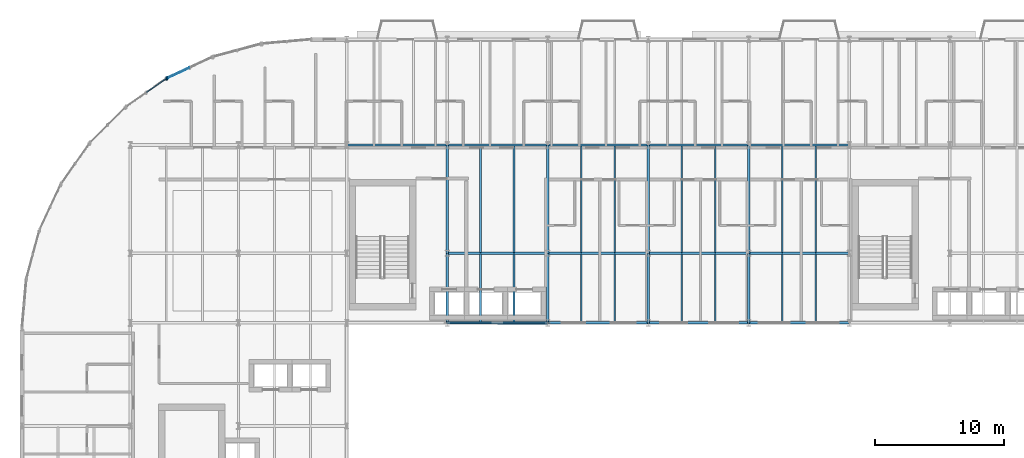
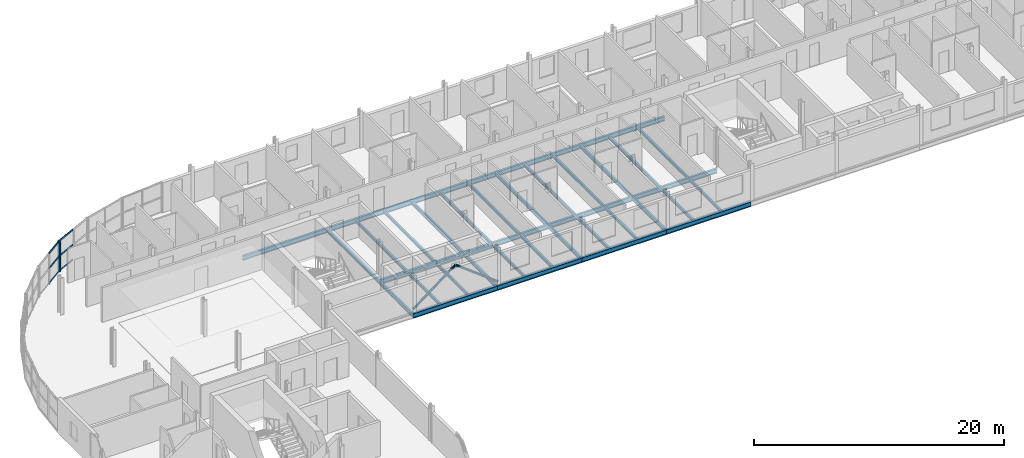
# One storey, part 7 of 30: 37 beams, 10 members, 2 elements without a shape of their own.
"""IFC4 building model written with IfcOpenShell, lengths in metres."""

from ifc_helpers import new_model, si_unit, direction, frame, origin, origin_2d, place, context, subcontext, project, spatial, rectangle, hollow_circle, i_section, extrude, material, layer, layer_set, material_profile, profile_set, type_object, element, aggregate, save


model = new_model("IFC4")

# Units and contexts
model_context = context("Model", 3, precision=1e-05, world=origin(), true_north=direction((0.0, 1.0)))
body_context = subcontext(model_context, "Body", "Model", "MODEL_VIEW")
ifc_project = project(units=[si_unit("LENGTHUNIT", "METRE"), si_unit("AREAUNIT", "SQUARE_METRE"), si_unit("VOLUMEUNIT", "CUBIC_METRE"), si_unit("PLANEANGLEUNIT", "RADIAN"), si_unit("MASSUNIT", "GRAM", prefix="KILO")], contexts=[model_context])

# Site, building, storey
site_placement = place(None, origin())
site = spatial("IfcSite", under=ifc_project, at=site_placement, CompositionType="ELEMENT")
building_placement = place(site_placement, origin())
building = spatial("IfcBuilding", under=site, at=building_placement, Name="Sefraquen Railside Congress Hotel", CompositionType="ELEMENT")
storey_placement = place(building_placement, frame((0.0, 0.0, 35.39990234375)))
storey = spatial("IfcBuildingStorey", under=building, at=storey_placement, Name="L08", CompositionType="ELEMENT", Elevation=35.39990234375)

# Beams
ifc_material_1 = material(Name="Steel S355JR", Category="steel")
ifc_material_profile_1 = material_profile(ifc_material_1, i_section(OverallWidth=0.169921875, OverallDepth=0.360107421875, WebThickness=0.008056640625, FlangeThickness=0.0126953125, FilletRadius=0.01806640625, at=origin_2d()), Name="IPE 360")
ifc_profile_set_1 = profile_set([ifc_material_profile_1], Name="Steel S355JR")
beam_type_1 = type_object("IfcBeamType", Name="TB-BM-360", PredefinedType="BEAM", material=ifc_profile_set_1)
beam_1_placement = place(storey_placement, frame((33.0, 96.0, -0.419921875), z_axis=(0.0, 1.0, 0.0), x_axis=(-1.0, 0.0, 0.0)))
element("IfcBeam", 1, at=beam_1_placement, inside=storey, type_object=beam_type_1, Name="Floor beam BM-L08-1913", PredefinedType="BEAM", context=body_context, shape_type="SweptSolid", body=[
    extrude(i_section(OverallWidth=0.169921875, OverallDepth=0.360107421875, WebThickness=0.008056640625, FlangeThickness=0.0126953125, FilletRadius=0.01806640625, at=origin_2d()), origin(), (0.0, 0.0, 1.0), 5.39990234375),
])
beam_2_placement = place(storey_placement, frame((33.0, 101.39990234375, -0.419921875), z_axis=(0.0, 1.0, 0.0), x_axis=(-1.0, 0.0, 0.0)))
element("IfcBeam", 2, at=beam_2_placement, inside=storey, type_object=beam_type_1, Name="Floor beam BM-L08-1914", PredefinedType="BEAM", context=body_context, shape_type="SweptSolid", body=[
    extrude(i_section(OverallWidth=0.169921875, OverallDepth=0.360107421875, WebThickness=0.008056640625, FlangeThickness=0.0126953125, FilletRadius=0.01806640625, at=origin_2d()), origin(), (0.0, 0.0, 1.0), 8.400146484375),
])
beam_3_placement = place(storey_placement, frame((40.800048828125, 96.0, -0.419921875), z_axis=(0.0, 1.0, 0.0), x_axis=(-1.0, 0.0, 0.0)))
element("IfcBeam", 3, at=beam_3_placement, inside=storey, type_object=beam_type_1, Name="Floor beam BM-L08-1916", PredefinedType="BEAM", context=body_context, shape_type="SweptSolid", body=[
    extrude(i_section(OverallWidth=0.169921875, OverallDepth=0.360107421875, WebThickness=0.008056640625, FlangeThickness=0.0126953125, FilletRadius=0.01806640625, at=origin_2d()), origin(), (0.0, 0.0, 1.0), 5.39990234375),
])
beam_4_placement = place(storey_placement, frame((40.800048828125, 101.39990234375, -0.419921875), z_axis=(0.0, 1.0, 0.0), x_axis=(-1.0, 0.0, 0.0)))
element("IfcBeam", 4, at=beam_4_placement, inside=storey, type_object=beam_type_1, Name="Floor beam BM-L08-1917", PredefinedType="BEAM", context=body_context, shape_type="SweptSolid", body=[
    extrude(i_section(OverallWidth=0.169921875, OverallDepth=0.360107421875, WebThickness=0.008056640625, FlangeThickness=0.0126953125, FilletRadius=0.01806640625, at=origin_2d()), origin(), (0.0, 0.0, 1.0), 8.400146484375),
])
beam_5_placement = place(storey_placement, frame((48.60009765625, 96.0, -0.419921875), z_axis=(0.0, 1.0, 0.0), x_axis=(-1.0, 0.0, 0.0)))
element("IfcBeam", 5, at=beam_5_placement, inside=storey, type_object=beam_type_1, Name="Floor beam BM-L08-1919", PredefinedType="BEAM", context=body_context, shape_type="SweptSolid", body=[
    extrude(i_section(OverallWidth=0.169921875, OverallDepth=0.360107421875, WebThickness=0.008056640625, FlangeThickness=0.0126953125, FilletRadius=0.01806640625, at=origin_2d()), origin(), (0.0, 0.0, 1.0), 5.39990234375),
])
beam_6_placement = place(storey_placement, frame((48.60009765625, 101.39990234375, -0.419921875), z_axis=(0.0, 1.0, 0.0), x_axis=(-1.0, 0.0, 0.0)))
element("IfcBeam", 6, at=beam_6_placement, inside=storey, type_object=beam_type_1, Name="Floor beam BM-L08-1920", PredefinedType="BEAM", context=body_context, shape_type="SweptSolid", body=[
    extrude(i_section(OverallWidth=0.169921875, OverallDepth=0.360107421875, WebThickness=0.008056640625, FlangeThickness=0.0126953125, FilletRadius=0.01806640625, at=origin_2d()), origin(), (0.0, 0.0, 1.0), 8.400146484375),
])
beam_7_placement = place(storey_placement, frame((56.39990234375, 96.0, -0.419921875), z_axis=(0.0, 1.0, 0.0), x_axis=(-1.0, 0.0, 0.0)))
element("IfcBeam", 7, at=beam_7_placement, inside=storey, type_object=beam_type_1, Name="Floor beam BM-L08-1922", PredefinedType="BEAM", context=body_context, shape_type="SweptSolid", body=[
    extrude(i_section(OverallWidth=0.169921875, OverallDepth=0.360107421875, WebThickness=0.008056640625, FlangeThickness=0.0126953125, FilletRadius=0.01806640625, at=origin_2d()), origin(), (0.0, 0.0, 1.0), 5.39990234375),
])
beam_8_placement = place(storey_placement, frame((56.39990234375, 101.39990234375, -0.419921875), z_axis=(0.0, 1.0, 0.0), x_axis=(-1.0, 0.0, 0.0)))
element("IfcBeam", 8, at=beam_8_placement, inside=storey, type_object=beam_type_1, Name="Floor beam BM-L08-1923", PredefinedType="BEAM", context=body_context, shape_type="SweptSolid", body=[
    extrude(i_section(OverallWidth=0.169921875, OverallDepth=0.360107421875, WebThickness=0.008056640625, FlangeThickness=0.0126953125, FilletRadius=0.01806640625, at=origin_2d()), origin(), (0.0, 0.0, 1.0), 8.400146484375),
])
ifc_material_profile_2 = material_profile(ifc_material_1, i_section(OverallWidth=0.18994140625, OverallDepth=0.449951171875, WebThickness=0.009521484375, FlangeThickness=0.0146484375, FilletRadius=0.02099609375, at=origin_2d()), Name="IPE 450")
ifc_profile_set_2 = profile_set([ifc_material_profile_2], Name="Steel S355JR")
beam_type_2 = type_object("IfcBeamType", Name="TB-BM-450", PredefinedType="BEAM", material=ifc_profile_set_2)
for number, where, z_axis, x_axis, name in (
    (9, (33.0, 96.0, -0.46484375), (1.0, 0.0, 0.0), (0.0, 1.0, 0.0), "Primary girder BM-L08-1842"),
    (10, (40.800048828125, 96.0, -0.46484375), (1.0, 0.0, 0.0), (0.0, 1.0, 0.0), "Primary girder BM-L08-1843"),
):
    element("IfcBeam", number, at=place(storey_placement, frame(where, z_axis=z_axis, x_axis=x_axis)), inside=storey, type_object=beam_type_2, Name=name, PredefinedType="BEAM", context=body_context, shape_type="SweptSolid", body=[
        extrude(i_section(OverallWidth=0.18994140625, OverallDepth=0.449951171875, WebThickness=0.009521484375, FlangeThickness=0.0146484375, FilletRadius=0.02099609375, at=origin_2d()), origin(), (0.0, 0.0, 1.0), 7.800048828125),
    ])
beam_9_placement = place(storey_placement, frame((48.60009765625, 96.0, -0.46484375), z_axis=(1.0, 0.0, 0.0), x_axis=(0.0, 1.0, 0.0)))
element("IfcBeam", 11, at=beam_9_placement, inside=storey, type_object=beam_type_2, Name="Primary girder BM-L08-1844", PredefinedType="BEAM", context=body_context, shape_type="SweptSolid", body=[
    extrude(i_section(OverallWidth=0.18994140625, OverallDepth=0.449951171875, WebThickness=0.009521484375, FlangeThickness=0.0146484375, FilletRadius=0.02099609375, at=origin_2d()), origin(), (0.0, 0.0, 1.0), 7.7998046875),
])
for number, where, z_axis, x_axis, name in (
    (12, (56.39990234375, 96.0, -0.46484375), (1.0, 0.0, 0.0), (0.0, 1.0, 0.0), "Primary girder BM-L08-1845"),
    (13, (33.0, 101.39990234375, -0.46484375), (1.0, 0.0, 0.0), (0.0, 1.0, 0.0), "Primary girder BM-L08-1855"),
    (14, (40.800048828125, 101.39990234375, -0.46484375), (1.0, 0.0, 0.0), (0.0, 1.0, 0.0), "Primary girder BM-L08-1856"),
):
    element("IfcBeam", number, at=place(storey_placement, frame(where, z_axis=z_axis, x_axis=x_axis)), inside=storey, type_object=beam_type_2, Name=name, PredefinedType="BEAM", context=body_context, shape_type="SweptSolid", body=[
        extrude(i_section(OverallWidth=0.18994140625, OverallDepth=0.449951171875, WebThickness=0.009521484375, FlangeThickness=0.0146484375, FilletRadius=0.02099609375, at=origin_2d()), origin(), (0.0, 0.0, 1.0), 7.800048828125),
    ])
beam_10_placement = place(storey_placement, frame((48.60009765625, 101.39990234375, -0.46484375), z_axis=(1.0, 0.0, 0.0), x_axis=(0.0, 1.0, 0.0)))
element("IfcBeam", 15, at=beam_10_placement, inside=storey, type_object=beam_type_2, Name="Primary girder BM-L08-1857", PredefinedType="BEAM", context=body_context, shape_type="SweptSolid", body=[
    extrude(i_section(OverallWidth=0.18994140625, OverallDepth=0.449951171875, WebThickness=0.009521484375, FlangeThickness=0.0146484375, FilletRadius=0.02099609375, at=origin_2d()), origin(), (0.0, 0.0, 1.0), 7.7998046875),
])
for number, where, z_axis, x_axis, name in (
    (16, (56.39990234375, 101.39990234375, -0.46484375), (1.0, 0.0, 0.0), (0.0, 1.0, 0.0), "Primary girder BM-L08-1858"),
    (17, (25.199951171875, 109.800048828125, -0.46484375), (1.0, 0.0, 0.0), (0.0, 1.0, 0.0), "Primary girder BM-L08-1867"),
    (18, (33.0, 109.800048828125, -0.46484375), (1.0, 0.0, 0.0), (0.0, 1.0, 0.0), "Primary girder BM-L08-1868"),
    (19, (40.800048828125, 109.800048828125, -0.46484375), (1.0, 0.0, 0.0), (0.0, 1.0, 0.0), "Primary girder BM-L08-1869"),
):
    element("IfcBeam", number, at=place(storey_placement, frame(where, z_axis=z_axis, x_axis=x_axis)), inside=storey, type_object=beam_type_2, Name=name, PredefinedType="BEAM", context=body_context, shape_type="SweptSolid", body=[
        extrude(i_section(OverallWidth=0.18994140625, OverallDepth=0.449951171875, WebThickness=0.009521484375, FlangeThickness=0.0146484375, FilletRadius=0.02099609375, at=origin_2d()), origin(), (0.0, 0.0, 1.0), 7.800048828125),
    ])
beam_11_placement = place(storey_placement, frame((48.60009765625, 109.800048828125, -0.46484375), z_axis=(1.0, 0.0, 0.0), x_axis=(0.0, 1.0, 0.0)))
element("IfcBeam", 20, at=beam_11_placement, inside=storey, type_object=beam_type_2, Name="Primary girder BM-L08-1870", PredefinedType="BEAM", context=body_context, shape_type="SweptSolid", body=[
    extrude(i_section(OverallWidth=0.18994140625, OverallDepth=0.449951171875, WebThickness=0.009521484375, FlangeThickness=0.0146484375, FilletRadius=0.02099609375, at=origin_2d()), origin(), (0.0, 0.0, 1.0), 7.7998046875),
])
beam_12_placement = place(storey_placement, frame((56.39990234375, 109.800048828125, -0.46484375), z_axis=(1.0, 0.0, 0.0), x_axis=(0.0, 1.0, 0.0)))
element("IfcBeam", 21, at=beam_12_placement, inside=storey, type_object=beam_type_2, Name="Primary girder BM-L08-1871", PredefinedType="BEAM", context=body_context, shape_type="SweptSolid", body=[
    extrude(i_section(OverallWidth=0.18994140625, OverallDepth=0.449951171875, WebThickness=0.009521484375, FlangeThickness=0.0146484375, FilletRadius=0.02099609375, at=origin_2d()), origin(), (0.0, 0.0, 1.0), 7.800048828125),
])
ifc_material_profile_3 = material_profile(ifc_material_1, i_section(OverallWidth=0.14990234375, OverallDepth=0.300048828125, WebThickness=0.007080078125, FlangeThickness=0.0107421875, FilletRadius=0.014892578125, at=origin_2d()), Name="IPE 300")
ifc_profile_set_3 = profile_set([ifc_material_profile_3], Name="Steel S355JR")
beam_type_3 = type_object("IfcBeamType", Name="TB-JST-300", PredefinedType="JOIST", material=ifc_profile_set_3)
for number, where, z_axis, x_axis, name in (
    (22, (35.60009765625, 96.074951171875, -0.389892578125), (0.0, 1.0, 0.0), (-1.0, 0.0, 0.0), "Composite floor joist BM-L08-J1262"),
    (23, (38.199951171875, 96.074951171875, -0.389892578125), (0.0, 1.0, 0.0), (-1.0, 0.0, 0.0), "Composite floor joist BM-L08-J1263"),
):
    element("IfcBeam", number, at=place(storey_placement, frame(where, z_axis=z_axis, x_axis=x_axis)), inside=storey, type_object=beam_type_3, Name=name, PredefinedType="JOIST", context=body_context, shape_type="SweptSolid", body=[
        extrude(i_section(OverallWidth=0.14990234375, OverallDepth=0.300048828125, WebThickness=0.007080078125, FlangeThickness=0.0107421875, FilletRadius=0.014892578125, at=origin_2d()), origin(), (0.0, 0.0, 1.0), 5.25),
    ])
for number, where, z_axis, x_axis, name in (
    (24, (35.60009765625, 101.47509765625, -0.389892578125), (0.0, 1.0, 0.0), (-1.0, 0.0, 0.0), "Composite floor joist BM-L08-J1264"),
    (25, (38.199951171875, 101.47509765625, -0.389892578125), (0.0, 1.0, 0.0), (-1.0, 0.0, 0.0), "Composite floor joist BM-L08-J1265"),
):
    element("IfcBeam", number, at=place(storey_placement, frame(where, z_axis=z_axis, x_axis=x_axis)), inside=storey, type_object=beam_type_3, Name=name, PredefinedType="JOIST", context=body_context, shape_type="SweptSolid", body=[
        extrude(i_section(OverallWidth=0.14990234375, OverallDepth=0.300048828125, WebThickness=0.007080078125, FlangeThickness=0.0107421875, FilletRadius=0.014892578125, at=origin_2d()), origin(), (0.0, 0.0, 1.0), 8.25),
    ])
for number, where, z_axis, x_axis, name in (
    (26, (43.39990234375, 96.074951171875, -0.389892578125), (0.0, 1.0, 0.0), (-1.0, 0.0, 0.0), "Composite floor joist BM-L08-J1268"),
    (27, (46.0, 96.074951171875, -0.389892578125), (0.0, 1.0, 0.0), (-1.0, 0.0, 0.0), "Composite floor joist BM-L08-J1269"),
):
    element("IfcBeam", number, at=place(storey_placement, frame(where, z_axis=z_axis, x_axis=x_axis)), inside=storey, type_object=beam_type_3, Name=name, PredefinedType="JOIST", context=body_context, shape_type="SweptSolid", body=[
        extrude(i_section(OverallWidth=0.14990234375, OverallDepth=0.300048828125, WebThickness=0.007080078125, FlangeThickness=0.0107421875, FilletRadius=0.014892578125, at=origin_2d()), origin(), (0.0, 0.0, 1.0), 5.25),
    ])
for number, where, z_axis, x_axis, name in (
    (28, (43.39990234375, 101.47509765625, -0.389892578125), (0.0, 1.0, 0.0), (-1.0, 0.0, 0.0), "Composite floor joist BM-L08-J1270"),
    (29, (46.0, 101.47509765625, -0.389892578125), (0.0, 1.0, 0.0), (-1.0, 0.0, 0.0), "Composite floor joist BM-L08-J1271"),
):
    element("IfcBeam", number, at=place(storey_placement, frame(where, z_axis=z_axis, x_axis=x_axis)), inside=storey, type_object=beam_type_3, Name=name, PredefinedType="JOIST", context=body_context, shape_type="SweptSolid", body=[
        extrude(i_section(OverallWidth=0.14990234375, OverallDepth=0.300048828125, WebThickness=0.007080078125, FlangeThickness=0.0107421875, FilletRadius=0.014892578125, at=origin_2d()), origin(), (0.0, 0.0, 1.0), 8.25),
    ])
for number, where, z_axis, x_axis, name in (
    (30, (51.199951171875, 96.074951171875, -0.389892578125), (0.0, 1.0, 0.0), (-1.0, 0.0, 0.0), "Composite floor joist BM-L08-J1274"),
    (31, (53.800048828125, 96.074951171875, -0.389892578125), (0.0, 1.0, 0.0), (-1.0, 0.0, 0.0), "Composite floor joist BM-L08-J1275"),
):
    element("IfcBeam", number, at=place(storey_placement, frame(where, z_axis=z_axis, x_axis=x_axis)), inside=storey, type_object=beam_type_3, Name=name, PredefinedType="JOIST", context=body_context, shape_type="SweptSolid", body=[
        extrude(i_section(OverallWidth=0.14990234375, OverallDepth=0.300048828125, WebThickness=0.007080078125, FlangeThickness=0.0107421875, FilletRadius=0.014892578125, at=origin_2d()), origin(), (0.0, 0.0, 1.0), 5.25),
    ])
for number, where, z_axis, x_axis, name in (
    (32, (51.199951171875, 101.47509765625, -0.389892578125), (0.0, 1.0, 0.0), (-1.0, 0.0, 0.0), "Composite floor joist BM-L08-J1276"),
    (33, (53.800048828125, 101.47509765625, -0.389892578125), (0.0, 1.0, 0.0), (-1.0, 0.0, 0.0), "Composite floor joist BM-L08-J1277"),
):
    element("IfcBeam", number, at=place(storey_placement, frame(where, z_axis=z_axis, x_axis=x_axis)), inside=storey, type_object=beam_type_3, Name=name, PredefinedType="JOIST", context=body_context, shape_type="SweptSolid", body=[
        extrude(i_section(OverallWidth=0.14990234375, OverallDepth=0.300048828125, WebThickness=0.007080078125, FlangeThickness=0.0107421875, FilletRadius=0.014892578125, at=origin_2d()), origin(), (0.0, 0.0, 1.0), 8.25),
    ])
for number, where, z_axis, x_axis, name in (
    (34, (59.0, 96.074951171875, -0.389892578125), (0.0, 1.0, 0.0), (-1.0, 0.0, 0.0), "Composite floor joist BM-L08-J1280"),
    (35, (61.60009765625, 96.074951171875, -0.389892578125), (0.0, 1.0, 0.0), (-1.0, 0.0, 0.0), "Composite floor joist BM-L08-J1281"),
):
    element("IfcBeam", number, at=place(storey_placement, frame(where, z_axis=z_axis, x_axis=x_axis)), inside=storey, type_object=beam_type_3, Name=name, PredefinedType="JOIST", context=body_context, shape_type="SweptSolid", body=[
        extrude(i_section(OverallWidth=0.14990234375, OverallDepth=0.300048828125, WebThickness=0.007080078125, FlangeThickness=0.0107421875, FilletRadius=0.014892578125, at=origin_2d()), origin(), (0.0, 0.0, 1.0), 5.25),
    ])
for number, where, z_axis, x_axis, name in (
    (36, (59.0, 101.47509765625, -0.389892578125), (0.0, 1.0, 0.0), (-1.0, 0.0, 0.0), "Composite floor joist BM-L08-J1282"),
    (37, (61.60009765625, 101.47509765625, -0.389892578125), (0.0, 1.0, 0.0), (-1.0, 0.0, 0.0), "Composite floor joist BM-L08-J1283"),
):
    element("IfcBeam", number, at=place(storey_placement, frame(where, z_axis=z_axis, x_axis=x_axis)), inside=storey, type_object=beam_type_3, Name=name, PredefinedType="JOIST", context=body_context, shape_type="SweptSolid", body=[
        extrude(i_section(OverallWidth=0.14990234375, OverallDepth=0.300048828125, WebThickness=0.007080078125, FlangeThickness=0.0107421875, FilletRadius=0.014892578125, at=origin_2d()), origin(), (0.0, 0.0, 1.0), 8.25),
    ])

# Members
ifc_material_2 = material(Name="Steel S355J2", Category="steel")
ifc_material_profile_4 = material_profile(ifc_material_2, hollow_circle(Radius=0.109619140625, WallThickness=0.010009765625, at=origin_2d()), Name="CHS 219.1x10")
ifc_profile_set_4 = profile_set([ifc_material_profile_4], Name="Steel S355J2")
member_type_1 = type_object("IfcMemberType", Name="TM-BR-219", PredefinedType="BRACE", material=ifc_profile_set_4)
for number, where, z_axis, x_axis, name in (
    (38, (33.0, 96.0, 0.150146484375), (0.794583681994, 0.0, 0.607154652712), (0.0, 1.0, 0.0), "Chevron braced-frame diagonal BF1-L L08"),
    (39, (40.800048828125, 96.0, 0.150146484375), (-0.794602017752, 0.0, 0.607130655942), (0.0, -1.0, 0.0), "Chevron braced-frame diagonal BF1-R L08"),
):
    element("IfcMember", number, at=place(storey_placement, frame(where, z_axis=z_axis, x_axis=x_axis)), inside=storey, type_object=member_type_1, Name=name, PredefinedType="BRACE", context=body_context, shape_type="SweptSolid", body=[
        extrude(hollow_circle(Radius=0.109619140625, WallThickness=0.010009765625, at=origin_2d()), origin(), (0.0, 0.0, 1.0), 4.908203125),
    ])

# Curtain wall, member
ifc_material_3 = material(Name="Thermally broken anodised aluminium and low-E double glazing", Category="aluminium")
ifc_layer_1 = layer(ifc_material_3, 0.199951171875)
ifc_layer_set_1 = layer_set([ifc_layer_1], Name="Thermally broken anodised aluminium and low-E double glazing")
curtain_wall_type_1 = type_object("IfcCurtainWallType", Name="TCW-UCW-11", PredefinedType="USERDEFINED", material=ifc_layer_set_1)
curtain_wall_1_placement = place(storey_placement, origin())
curtain_wall_1 = element("IfcCurtainWall", 40, at=curtain_wall_1_placement, inside=storey, type_object=curtain_wall_type_1, Name="Rotunda L08 curved curtain wall facet 3", ObjectType="UNITISED CURTAIN WALL", PredefinedType="USERDEFINED")
ifc_material_4 = material(Name="Thermally broken anodised aluminium 6063-T6", Category="aluminium")
ifc_material_profile_5 = material_profile(ifc_material_4, rectangle(XDim=0.094970703125, YDim=0.300048828125, at=origin_2d()), Name="CWM 95x300")
ifc_profile_set_5 = profile_set([ifc_material_profile_5], Name="Thermally broken anodised aluminium 6063-T6")
member_type_2 = type_object("IfcMemberType", Name="TM-CWM-08", PredefinedType="MULLION", material=ifc_profile_set_5)
member_1_placement = place(storey_placement, frame((11.286376953125, 115.00244140625, 0.0), z_axis=(0.0, 0.0, 1.0), x_axis=(1.0, 0.0, 0.0)))
member_1 = element("IfcMember", 41, at=member_1_placement, type_object=member_type_2, Name="CW-L08-ROT-03 mullion 3", PredefinedType="MULLION", context=body_context, shape_type="SweptSolid", body=[
    extrude(rectangle(XDim=0.094970703125, YDim=0.300048828125, at=origin_2d()), origin(), (0.0, 0.0, 1.0), 2.93017578125),
])

ifc_layer_2 = layer(ifc_material_3, 0.199951171875)
ifc_layer_set_2 = layer_set([ifc_layer_2], Name="Thermally broken anodised aluminium and low-E double glazing")
curtain_wall_type_2 = type_object("IfcCurtainWallType", Name="TCW-UCW-12", PredefinedType="USERDEFINED", material=ifc_layer_set_2)
curtain_wall_2_placement = place(storey_placement, origin())
curtain_wall_2 = element("IfcCurtainWall", 42, at=curtain_wall_2_placement, inside=storey, type_object=curtain_wall_type_2, Name="Rotunda L08 curved curtain wall facet 4", ObjectType="UNITISED CURTAIN WALL", PredefinedType="USERDEFINED")
member_2_placement = place(storey_placement, frame((11.21728515625, 114.962646484375, 0.0), z_axis=(0.0, 0.0, 1.0), x_axis=(1.0, 0.0, 0.0)))
member_2 = element("IfcMember", 43, at=member_2_placement, type_object=member_type_2, Name="CW-L08-ROT-04 mullion 1", PredefinedType="MULLION", context=body_context, shape_type="SweptSolid", body=[
    extrude(rectangle(XDim=0.094970703125, YDim=0.300048828125, at=origin_2d()), origin(), (0.0, 0.0, 1.0), 2.93017578125),
])

# Member
ifc_material_profile_6 = material_profile(ifc_material_4, rectangle(XDim=0.070068359375, YDim=0.14990234375, at=origin_2d()), Name="CWT 70x150")
ifc_profile_set_6 = profile_set([ifc_material_profile_6], Name="Thermally broken anodised aluminium 6063-T6")
member_type_3 = type_object("IfcMemberType", Name="TM-CWT-03", PredefinedType="USERDEFINED", material=ifc_profile_set_6)
member_3_placement = place(storey_placement, frame((12.986572265625, 115.79541015625, 0.0), z_axis=(-0.906281900386, -0.422673771403, 0.0), x_axis=(0.422673771403, -0.906281900386, 0.0)))
member_3 = element("IfcMember", 44, at=member_3_placement, type_object=member_type_3, Name="CW-L08-ROT-03 transom 1.2", ObjectType="TRANSOM", PredefinedType="USERDEFINED", context=body_context, shape_type="SweptSolid", body=[
    extrude(rectangle(XDim=0.070068359375, YDim=0.14990234375, at=origin_2d()), origin(), (0.0, 0.0, 1.0), 1.8310546875),
])

member_4_placement = place(storey_placement, frame((12.986572265625, 115.79541015625, 1.465087890625), z_axis=(-0.906281900386, -0.422673771403, 0.0), x_axis=(0.422673771403, -0.906281900386, 0.0)))
member_4 = element("IfcMember", 45, at=member_4_placement, type_object=member_type_3, Name="CW-L08-ROT-03 transom 2.2", ObjectType="TRANSOM", PredefinedType="USERDEFINED", context=body_context, shape_type="SweptSolid", body=[
    extrude(rectangle(XDim=0.070068359375, YDim=0.14990234375, at=origin_2d()), origin(), (0.0, 0.0, 1.0), 1.8310546875),
])

member_5_placement = place(storey_placement, frame((12.986572265625, 115.79541015625, 2.93017578125), z_axis=(-0.906281900386, -0.422673771403, 0.0), x_axis=(0.422673771403, -0.906281900386, 0.0)))
member_5 = element("IfcMember", 46, at=member_5_placement, type_object=member_type_3, Name="CW-L08-ROT-03 transom 3.2", ObjectType="TRANSOM", PredefinedType="USERDEFINED", context=body_context, shape_type="SweptSolid", body=[
    extrude(rectangle(XDim=0.070068359375, YDim=0.14990234375, at=origin_2d()), origin(), (0.0, 0.0, 1.0), 1.8310546875),
])

aggregate(curtain_wall_1, [member_1, member_3, member_4, member_5])

ifc_material_profile_7 = material_profile(ifc_material_4, rectangle(XDim=0.074951171875, YDim=0.1650390625, at=origin_2d()), Name="CWT 75x165")
ifc_profile_set_7 = profile_set([ifc_material_profile_7], Name="Thermally broken anodised aluminium 6063-T6")
member_type_4 = type_object("IfcMemberType", Name="TM-CWT-04", PredefinedType="USERDEFINED", material=ifc_profile_set_7)
member_6_placement = place(storey_placement, frame((11.180419921875, 114.93701171875, 0.0), z_axis=(-0.819156749665, -0.573569716318, 0.0), x_axis=(0.573569716318, -0.819156749665, 0.0)))
member_6 = element("IfcMember", 47, at=member_6_placement, type_object=member_type_4, Name="CW-L08-ROT-04 transom 1.1", ObjectType="TRANSOM", PredefinedType="USERDEFINED", context=body_context, shape_type="SweptSolid", body=[
    extrude(rectangle(XDim=0.074951171875, YDim=0.1650390625, at=origin_2d()), origin(), (0.0, 0.0, 1.0), 1.8310546875),
])

member_7_placement = place(storey_placement, frame((11.180419921875, 114.93701171875, 1.465087890625), z_axis=(-0.819156749665, -0.573569716318, 0.0), x_axis=(0.573569716318, -0.819156749665, 0.0)))
member_7 = element("IfcMember", 48, at=member_7_placement, type_object=member_type_4, Name="CW-L08-ROT-04 transom 2.1", ObjectType="TRANSOM", PredefinedType="USERDEFINED", context=body_context, shape_type="SweptSolid", body=[
    extrude(rectangle(XDim=0.074951171875, YDim=0.1650390625, at=origin_2d()), origin(), (0.0, 0.0, 1.0), 1.8310546875),
])

member_8_placement = place(storey_placement, frame((11.180419921875, 114.93701171875, 2.93017578125), z_axis=(-0.819156749665, -0.573569716318, 0.0), x_axis=(0.573569716318, -0.819156749665, 0.0)))
member_8 = element("IfcMember", 49, at=member_8_placement, type_object=member_type_4, Name="CW-L08-ROT-04 transom 3.1", ObjectType="TRANSOM", PredefinedType="USERDEFINED", context=body_context, shape_type="SweptSolid", body=[
    extrude(rectangle(XDim=0.074951171875, YDim=0.1650390625, at=origin_2d()), origin(), (0.0, 0.0, 1.0), 1.8310546875),
])

aggregate(curtain_wall_2, [member_2, member_6, member_7, member_8])

save(model, "model.ifc")
